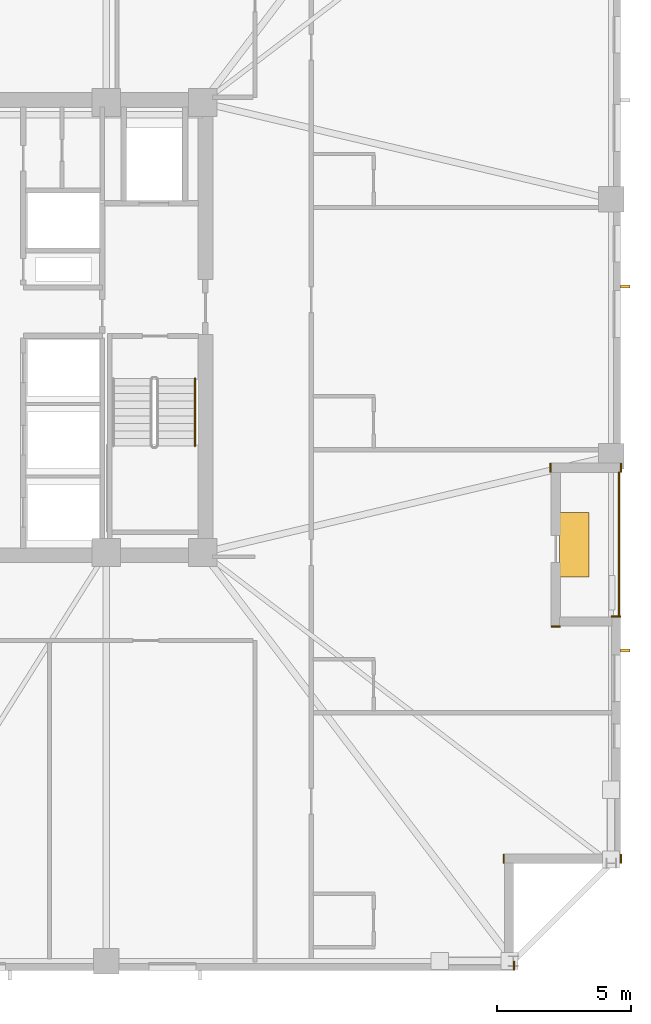
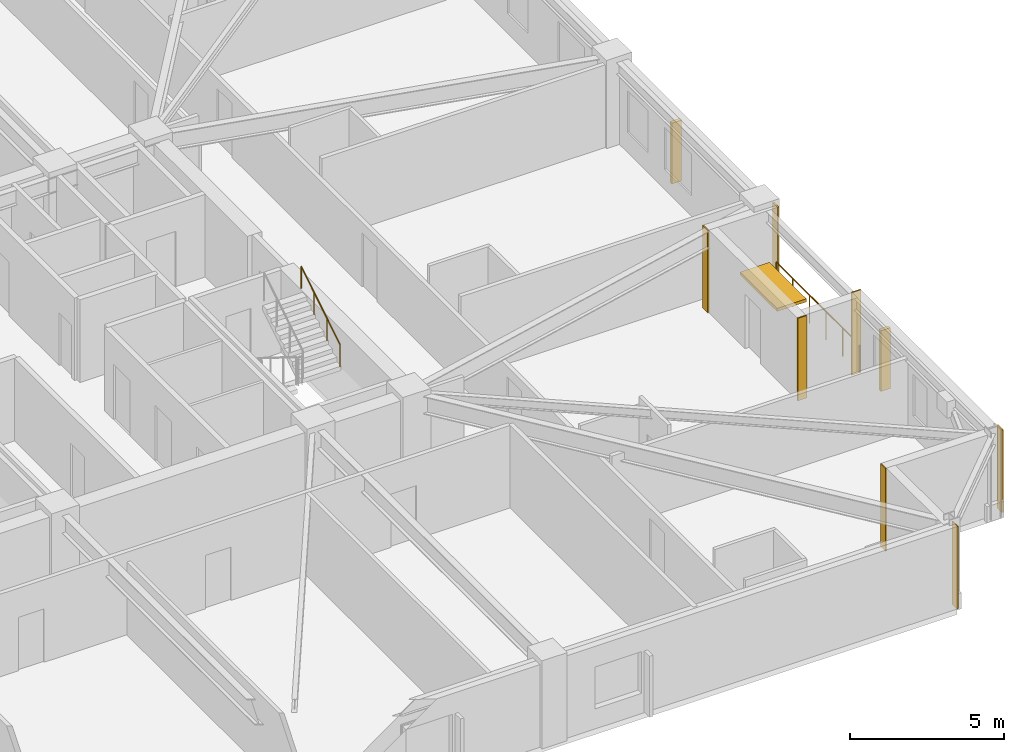
# One storey, part 8 of 10: 7 coverings, 3 shading devices, 2 railings.
"""IFC4 building model written with IfcOpenShell, lengths in metres."""

import ifcopenshell
import ifcopenshell.guid

model = None  # the IFC model being written
_history = None  # IfcOwnerHistory: only IFC2X3 demands one
_inside = {}  # id of a spatial element -> (the spatial element, [elements in it])
_under = {}  # id of a project, library or spatial element -> (it, [spatial elements below it])
_declared = {}  # id of a project -> (the project, [libraries it declares])
_typed = {}  # id of a type object -> (the type object, [elements of that type])
_made_of = {}  # id of a material, layer set ... -> (it, [elements and type objects made of it])


def new_model(schema):
    """Start an empty IFC model of exactly this schema.

    Asked for "IFC4X3", IfcOpenShell would pick the latest addendum, in which some entities
    have other attributes; the version numbers below select the first issue.
    IFC2X3 requires an IfcOwnerHistory on every rooted entity: one is made here for all.
    """
    global model, _history
    if schema == "IFC4X3":
        model = ifcopenshell.file(schema_version=(4, 3, 0, 0))
    else:
        model = ifcopenshell.file(schema=schema)
    _inside.clear()
    _under.clear()
    _declared.clear()
    _typed.clear()
    _made_of.clear()
    _history = None
    if model.schema == "IFC2X3":
        org = make("IfcOrganization", Name="unknown")
        user = make(
            "IfcPersonAndOrganization",
            ThePerson=make("IfcPerson", FamilyName="unknown"),
            TheOrganization=org,
        )
        app = make(
            "IfcApplication",
            ApplicationDeveloper=org,
            Version="unknown",
            ApplicationFullName="unknown",
            ApplicationIdentifier="unknown",
        )
        _history = make(
            "IfcOwnerHistory",
            OwningUser=user,
            OwningApplication=app,
            ChangeAction="ADDED",
            CreationDate=0,
        )
    return model


def make(cls, **values):
    """One entity of the class cls with the attributes given. An attribute that is None is left unset."""
    return model.create_entity(
        cls, **{name: value for name, value in values.items() if value is not None}
    )


def rooted(cls, **values):
    """An entity with a GlobalId (a new one), such as an element, a storey or a relation."""
    return make(cls, GlobalId=ifcopenshell.guid.new(), OwnerHistory=_history, **values)


def si_unit(unit_type, name, prefix=None):
    """IfcSIUnit, for example si_unit("LENGTHUNIT", "METRE", prefix="MILLI")."""
    return make("IfcSIUnit", UnitType=unit_type, Prefix=prefix, Name=name)


def assignment(units):
    """IfcUnitAssignment: the units of a project."""
    return None if units is None else make("IfcUnitAssignment", Units=units)


def point(xyz):
    """IfcCartesianPoint."""
    return None if xyz is None else make("IfcCartesianPoint", Coordinates=xyz)


def direction(xyz):
    """IfcDirection."""
    return None if xyz is None else make("IfcDirection", DirectionRatios=xyz)


def frame(location, z_axis=None, x_axis=None):
    """IfcAxis2Placement3D, a coordinate frame: its origin and axes. An axis left out is left unset."""
    return make(
        "IfcAxis2Placement3D",
        Location=point(location),
        Axis=direction(z_axis),
        RefDirection=direction(x_axis),
    )


def frame_2d(location, x_axis=None):
    """IfcAxis2Placement2D, a coordinate frame in the plane: its origin and x axis."""
    return make(
        "IfcAxis2Placement2D", Location=point(location), RefDirection=direction(x_axis)
    )


def origin():
    """The frame at (0, 0, 0) with its axes left unset."""
    return frame((0.0, 0.0, 0.0))


def origin_2d():
    """The frame at (0, 0) in the plane with its x axis left unset."""
    return frame_2d((0.0, 0.0))


def place(relative_to, where):
    """IfcLocalPlacement: puts the frame where relative to a parent placement (None: the world)."""
    return make(
        "IfcLocalPlacement", PlacementRelTo=relative_to, RelativePlacement=where
    )


def context(
    kind, dimensions, precision=None, world=None, true_north=None, identifier=None
):
    """IfcGeometricRepresentationContext, for example the 3D "Model" context."""
    return make(
        "IfcGeometricRepresentationContext",
        ContextIdentifier=identifier,
        ContextType=kind,
        CoordinateSpaceDimension=dimensions,
        Precision=precision,
        WorldCoordinateSystem=world,
        TrueNorth=true_north,
    )


def subcontext(parent, identifier, kind, view, scale=None):
    """IfcGeometricRepresentationSubContext, for example "Body" below "Model"."""
    return make(
        "IfcGeometricRepresentationSubContext",
        ContextIdentifier=identifier,
        ContextType=kind,
        ParentContext=parent,
        TargetScale=scale,
        TargetView=view,
    )


def project(units=None, contexts=None):
    """IfcProject with its units and contexts."""
    return rooted(
        "IfcProject",
        Name="project",
        RepresentationContexts=contexts,
        UnitsInContext=assignment(units),
    )


def spatial(cls, under=None, at=None, **own):
    """A site, building, storey or space (cls), placed at a placement, below another one or the project."""
    s = rooted(cls, ObjectPlacement=at, **own)
    if under is not None:
        _under.setdefault(under.id(), (under, []))[1].append(s)
    return s


def profile(cls, at=None, kind="AREA", **sizes):
    """A parametric profile (cls). Its sizes go by their IFC names, for example OverallWidth=200.0."""
    return make(cls, ProfileType=kind, Position=at, **sizes)


def rectangle(**sizes):
    """IfcRectangleProfileDef."""
    return profile("IfcRectangleProfileDef", **sizes)


def circle(**sizes):
    """IfcCircleProfileDef."""
    return profile("IfcCircleProfileDef", **sizes)


def extrude(swept, where, along, depth):
    """IfcExtrudedAreaSolid: the profile swept, set in the frame where, extruded along a direction by depth."""
    return make(
        "IfcExtrudedAreaSolid",
        SweptArea=swept,
        Position=where,
        ExtrudedDirection=direction(along),
        Depth=depth,
    )


def shape(context_of_items, identifier, shape_type, items):
    """IfcShapeRepresentation: the items that make up one representation, for example the "Body"."""
    return make(
        "IfcShapeRepresentation",
        ContextOfItems=context_of_items,
        RepresentationIdentifier=identifier,
        RepresentationType=shape_type,
        Items=items,
    )


def material(Name=None, Category=None):
    """IfcMaterial."""
    return make("IfcMaterial", Name=Name, Category=Category)


def layer(
    of_material, thickness, ventilated=None, Name=None, Category=None, Priority=None
):
    """IfcMaterialLayer: one layer of a wall or slab, of a material (None: an air gap)."""
    return make(
        "IfcMaterialLayer",
        Material=of_material,
        LayerThickness=thickness,
        IsVentilated=ventilated,
        Name=Name,
        Category=Category,
        Priority=Priority,
    )


def layer_set(layers, Name=None):
    """IfcMaterialLayerSet."""
    return make("IfcMaterialLayerSet", MaterialLayers=layers, LayerSetName=Name)


def made_of(thing, what):
    """Note that an element or type object is made of a material, layer set ...; save() writes the relation."""
    if what is not None:
        _made_of.setdefault(what.id(), (what, []))[1].append(thing)
    return thing


def type_object(cls, material=None, **own):
    """A type object (cls), such as IfcWallType, which elements share."""
    return made_of(rooted(cls, **own), material)


def element(
    cls,
    number,
    at=None,
    inside=None,
    cuts=None,
    type_object=None,
    material=None,
    context=None,
    identifier="Body",
    shape_type=None,
    held_by="IfcProductDefinitionShape",
    body=None,
    shapes=None,
    **own,
):
    """One element of the class cls, such as IfcWall. Its Tag is "e" and its number.

    at: its placement. inside: the storey or other place that contains it. cuts: it is an
    opening in that element (IfcRelVoidsElement). A single representation is given by context,
    identifier, shape_type and body (its items); several are given by shapes. held_by: the class
    of the entity that holds the representations. save() writes the other relations.
    """
    e = rooted(cls, Tag="e%d" % number, ObjectPlacement=at, **own)
    if body is not None:
        shapes = [shape(context, identifier, shape_type, body)]
    if shapes is not None:
        e.Representation = make(held_by, Representations=shapes)
    if inside is not None:
        _inside.setdefault(inside.id(), (inside, []))[1].append(e)
    if cuts is not None:
        rooted(
            "IfcRelVoidsElement", RelatingBuildingElement=cuts, RelatedOpeningElement=e
        )
    if type_object is not None:
        _typed.setdefault(type_object.id(), (type_object, []))[1].append(e)
    return made_of(e, material)


def aggregate(whole, parts):
    """IfcRelAggregates: a whole, such as a stair, and the parts it consists of."""
    return rooted("IfcRelAggregates", RelatingObject=whole, RelatedObjects=parts)


def save(model, path):
    """Write the relations noted so far, then the file.

    IfcRelAggregates (storeys below a building ...), IfcRelContainedInSpatialStructure (elements
    in a storey), IfcRelDefinesByType, IfcRelAssociatesMaterial and IfcRelDeclares: one each for
    every whole, place, type object, material and project.
    """
    for whole, parts in _under.values():
        aggregate(whole, parts)
    for where, things in _inside.values():
        rooted(
            "IfcRelContainedInSpatialStructure",
            RelatedElements=things,
            RelatingStructure=where,
        )
    for kind, things in _typed.values():
        rooted("IfcRelDefinesByType", RelatedObjects=things, RelatingType=kind)
    for what, things in _made_of.values():
        rooted("IfcRelAssociatesMaterial", RelatedObjects=things, RelatingMaterial=what)
    for by, libraries in _declared.values():
        rooted("IfcRelDeclares", RelatingContext=by, RelatedDefinitions=libraries)
    model.write(path)


model = new_model("IFC4")

# Units and contexts
model_context = context("Model", 3, precision=1e-05, world=origin(), true_north=direction((0.0, 1.0)))
body_context = subcontext(model_context, "Body", "Model", "MODEL_VIEW")
ifc_project = project(units=[si_unit("LENGTHUNIT", "METRE"), si_unit("AREAUNIT", "SQUARE_METRE"), si_unit("VOLUMEUNIT", "CUBIC_METRE"), si_unit("PLANEANGLEUNIT", "RADIAN"), si_unit("MASSUNIT", "GRAM", prefix="KILO")], contexts=[model_context])

# Site, building, storey
site_placement = place(None, origin())
site = spatial("IfcSite", under=ifc_project, at=site_placement, CompositionType="ELEMENT")
building_placement = place(site_placement, origin())
building = spatial("IfcBuilding", under=site, at=building_placement, Name="Cairnveth Concourse Tower", CompositionType="ELEMENT")
storey_placement = place(building_placement, frame((0.0, 0.0, 179.5)))
storey = spatial("IfcBuildingStorey", under=building, at=storey_placement, Name="L49", CompositionType="ELEMENT", Elevation=179.5)

# Coverings
ifc_material_1 = material(Name="Dressed Melbourne Bluestone Cladding", Category="masonry")
ifc_layer = layer(ifc_material_1, 0.050048828125)
ifc_layer_set = layer_set([ifc_layer], Name="Dressed Melbourne Bluestone Cladding")
covering_type = type_object("IfcCoveringType", Name="DRESSED BLUESTONE PLINTH CLADDING 50", PredefinedType="CLADDING", material=ifc_layer_set)
for number, where, z_axis, x_axis, name in (
    (1, (75.659912109375, 28.219970703125, 0.0), (0.0, 0.0, 1.0), (1.0, 0.0, 0.0), "Melbourne Bluestone Corner Quoin L49-723"),
    (2, (76.02001953125, 19.340087890625, 0.0), (0.0, 0.0, 1.0), (0.0, -1.0, 0.0), "Melbourne Bluestone Corner Quoin L49-724"),
    (3, (71.639892578125, 19.340087890625, 0.0), (0.0, 0.0, 1.0), (0.0, -1.0, 0.0), "Melbourne Bluestone Corner Quoin L49-725"),
    (4, (72.02001953125, 15.340087890625, 0.0), (0.0, 0.0, 1.0), (0.0, -1.0, 0.0), "Melbourne Bluestone Corner Quoin L49-726"),
):
    element("IfcCovering", number, at=place(storey_placement, frame(where, z_axis=z_axis, x_axis=x_axis)), inside=storey, type_object=covering_type, Name=name, PredefinedType="CLADDING", context=body_context, shape_type="SweptSolid", body=[
        extrude(rectangle(XDim=0.340087890625, YDim=0.050048828125, at=frame_2d((0.169921875, 0.0))), origin(), (0.0, 0.0, 1.0), 3.280029296875),
    ])
for number, where, z_axis, x_axis, name in (
    (5, (76.02001953125, 33.93994140625, 0.0), (0.0, 0.0, 1.0), (0.0, -1.0, 0.0), "Melbourne Bluestone Corner Quoin L49-736"),
    (6, (73.389892578125, 33.93994140625, 0.0), (0.0, 0.0, 1.0), (0.0, -1.0, 0.0), "Melbourne Bluestone Corner Quoin L49-737"),
):
    element("IfcCovering", number, at=place(storey_placement, frame(where, z_axis=z_axis, x_axis=x_axis)), inside=storey, type_object=covering_type, Name=name, PredefinedType="CLADDING", context=body_context, shape_type="SweptSolid", body=[
        extrude(rectangle(XDim=0.33984375, YDim=0.050048828125, at=frame_2d((0.169921875, 0.0))), origin(), (0.0, 0.0, 1.0), 3.280029296875),
    ])
covering_placement = place(storey_placement, frame((73.409912109375, 27.840087890625, 0.0), z_axis=(0.0, 0.0, 1.0), x_axis=(1.0, 0.0, 0.0)))
element("IfcCovering", 7, at=covering_placement, inside=storey, type_object=covering_type, Name="Melbourne Bluestone Corner Quoin L49-738", PredefinedType="CLADDING", context=body_context, shape_type="SweptSolid", body=[
    extrude(rectangle(XDim=0.340087890625, YDim=0.050048828125, at=frame_2d((0.169921875, 0.0))), origin(), (0.0, 0.0, 1.0), 3.280029296875),
])

# Shading devices
ifc_material_2 = material(Name="Architectural Bronze Anodised Aluminium 6063-T6", Category="aluminium")
shading_device_type_1 = type_object("IfcShadingDeviceType", Name="GOTHIC BRONZE VERTICAL LANCET FIN", PredefinedType="USERDEFINED", material=ifc_material_2)
for number, where, z_axis, x_axis, name in (
    (8, (76.175048828125, 26.944091796875, 0.030029296875), (0.0, 0.0, 1.0), (0.0, 1.0, 0.0), "Gothic Bronze Vertical Fin L49-0-1"),
    (9, (76.175048828125, 40.541259765625, 0.030029296875), (0.0, 0.0, 1.0), (0.0, 1.0, 0.0), "Gothic Bronze Vertical Fin L49-12-5"),
):
    element("IfcShadingDevice", number, at=place(storey_placement, frame(where, z_axis=z_axis, x_axis=x_axis)), inside=storey, type_object=shading_device_type_1, Name=name, ObjectType="VERTICAL FIN", PredefinedType="USERDEFINED", context=body_context, shape_type="SweptSolid", body=[
        extrude(rectangle(XDim=0.1201171875, YDim=0.360107421875, at=origin_2d()), origin(), (0.0, 0.0, 1.0), 2.419921875),
    ])
shading_device_type_2 = type_object("IfcShadingDeviceType", Name="SPIRAL TERRACE SUNSHADE CANOPY", PredefinedType="USERDEFINED", material=ifc_material_2)
shading_device_placement = place(storey_placement, frame((74.27001953125, 30.89990234375, 2.300048828125), z_axis=(0.0, 0.0, 1.0), x_axis=(1.0, 0.0, 0.0)))
element("IfcShadingDevice", 10, at=shading_device_placement, inside=storey, type_object=shading_device_type_2, Name="Spiral Terrace Sunshade L49", ObjectType="TERRACE SUNSHADE", PredefinedType="USERDEFINED", context=body_context, shape_type="SweptSolid", body=[
    extrude(rectangle(XDim=1.10009765625, YDim=2.39990234375, at=origin_2d()), origin(), (0.0, 0.0, 1.0), 0.1201171875),
])

# Railings
ifc_material_3 = material(Name="Steel Grade 350", Category="steel")
railing_type_1 = type_object("IfcRailingType", Name="STAIR WALL HANDRAIL 900", PredefinedType="HANDRAIL", material=ifc_material_3)
railing_1_placement = place(storey_placement, frame((60.110107421875, 34.580078125, 1.925048828125)))
element("IfcRailing", 11, at=railing_1_placement, inside=storey, type_object=railing_type_1, Name="L49 ST-2 stair handrail 2", PredefinedType="HANDRAIL", context=body_context, shape_type="SweptSolid", body=[
    extrude(circle(Radius=0.02392578125, at=origin_2d()), frame((0.0, 0.0, 0.8759765625), z_axis=(0.0, 0.848007534815, 0.529984170421), x_axis=(-1.0, 0.0, 0.0)), (0.0, 0.0, 1.0), 2.9716796875),
    extrude(circle(Radius=0.02099609375, at=origin_2d()), origin(), (0.0, 0.0, 1.0), 0.851806640625),
    extrude(circle(Radius=0.02099609375, at=origin_2d()), frame((0.0, 0.840087890625, 0.52490234375)), (0.0, 0.0, 1.0), 0.851806640625),
    extrude(circle(Radius=0.02099609375, at=origin_2d()), frame((0.0, 1.679931640625, 1.050048828125)), (0.0, 0.0, 1.0), 0.851806640625),
    extrude(circle(Radius=0.02099609375, at=origin_2d()), frame((0.0, 2.52001953125, 1.574951171875)), (0.0, 0.0, 1.0), 0.851806640625),
])
railing_type_2 = type_object("IfcRailingType", Name="TERRACE BRONZE BALUSTRADE 1150", PredefinedType="BALUSTRADE", material=ifc_material_2)
railing_2_placement = place(storey_placement, frame((75.93994140625, 28.199951171875, 0.0)))
element("IfcRailing", 12, at=railing_2_placement, inside=storey, type_object=railing_type_2, Name="Terrace Balustrade RL-L49-TERR", PredefinedType="BALUSTRADE", context=body_context, shape_type="SweptSolid", body=[
    extrude(circle(Radius=0.02490234375, at=origin_2d()), frame((0.0, 0.0, 1.125), z_axis=(0.0, 1.0, 0.0), x_axis=(-1.0, 0.0, 0.0)), (0.0, 0.0, 1.0), 5.400146484375),
    extrude(circle(Radius=0.02099609375, at=origin_2d()), origin(), (0.0, 0.0, 1.0), 1.099853515625),
    extrude(circle(Radius=0.02099609375, at=origin_2d()), frame((0.0, 1.080078125, 0.0)), (0.0, 0.0, 1.0), 1.099853515625),
    extrude(circle(Radius=0.02099609375, at=origin_2d()), frame((0.0, 2.16015625, 0.0)), (0.0, 0.0, 1.0), 1.099853515625),
    extrude(circle(Radius=0.02099609375, at=origin_2d()), frame((0.0, 3.239990234375, 0.0)), (0.0, 0.0, 1.0), 1.099853515625),
    extrude(circle(Radius=0.02099609375, at=origin_2d()), frame((0.0, 4.320068359375, 0.0)), (0.0, 0.0, 1.0), 1.099853515625),
    extrude(circle(Radius=0.02099609375, at=origin_2d()), frame((0.0, 5.400146484375, 0.0)), (0.0, 0.0, 1.0), 1.099853515625),
])

save(model, "model.ifc")
